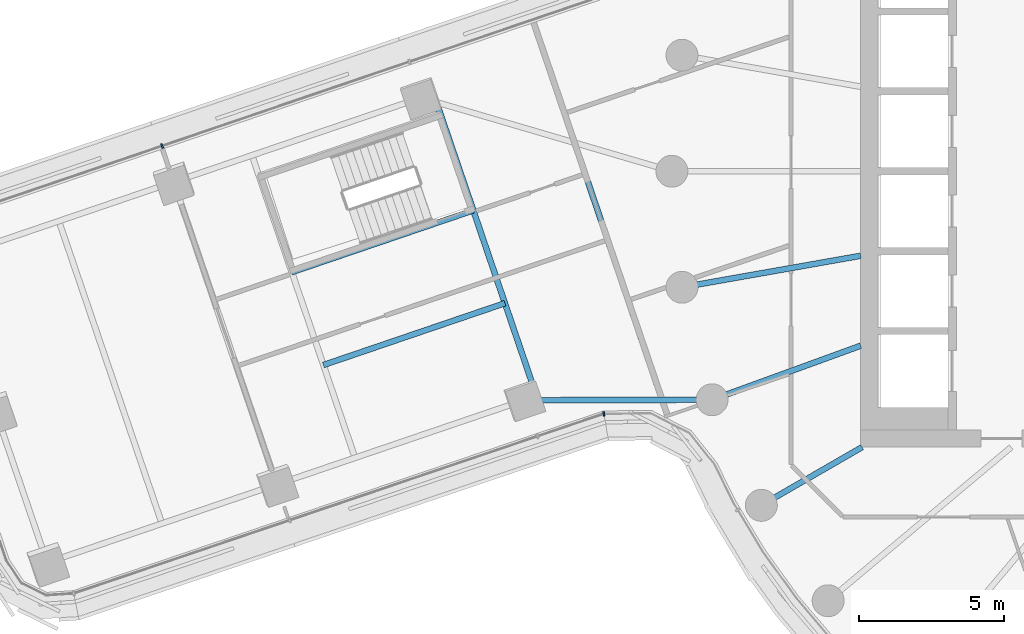
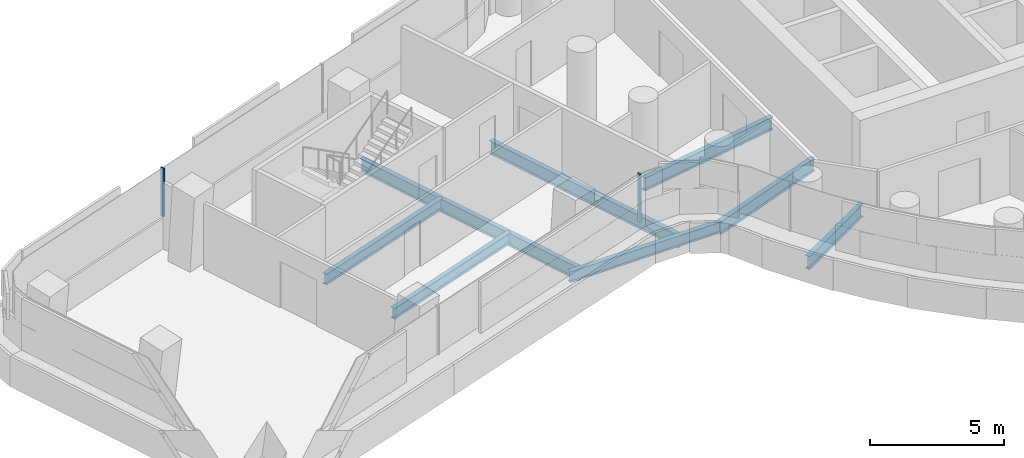
# One storey, part 5 of 29: 8 beams, 2 members, 2 elements without a shape of their own.
"""IFC4 building model written with IfcOpenShell, lengths in metres."""

from ifc_helpers import new_model, si_unit, direction, frame, origin, origin_2d, place, context, subcontext, project, spatial, rectangle, i_section, extrude, material, layer, layer_set, material_profile, profile_set, type_object, element, aggregate, save


model = new_model("IFC4")

# Units and contexts
model_context = context("Model", 3, precision=1e-05, world=origin(), true_north=direction((0.0, 1.0)))
body_context = subcontext(model_context, "Body", "Model", "MODEL_VIEW")
ifc_project = project(units=[si_unit("LENGTHUNIT", "METRE"), si_unit("AREAUNIT", "SQUARE_METRE"), si_unit("VOLUMEUNIT", "CUBIC_METRE"), si_unit("PLANEANGLEUNIT", "RADIAN"), si_unit("MASSUNIT", "GRAM", prefix="KILO")], contexts=[model_context])

# Site, building, storey
site_placement = place(None, origin())
site = spatial("IfcSite", under=ifc_project, at=site_placement, CompositionType="ELEMENT")
building_placement = place(site_placement, origin())
building = spatial("IfcBuilding", under=site, at=building_placement, Name="Tamarind Cross Interchange Tower", CompositionType="ELEMENT")
storey_placement = place(building_placement, frame((0.0, 0.0, 102.25)))
storey = spatial("IfcBuildingStorey", under=building, at=storey_placement, Name="L24", CompositionType="ELEMENT", Elevation=102.25)

# Beams
ifc_material_1 = material(Name="Steel Q355B", Category="steel")
ifc_material_profile_1 = material_profile(ifc_material_1, i_section(OverallWidth=0.198974609375, OverallDepth=0.49609375, WebThickness=0.009033203125, FlangeThickness=0.013916015625, FilletRadius=0.012939453125, at=origin_2d()), Name="HN 496x199x9x14")
ifc_profile_set_1 = profile_set([ifc_material_profile_1], Name="Steel Q355B")
beam_type_1 = type_object("IfcBeamType", Name="Composite beam HN 496x199x9x14 Q355B", PredefinedType="BEAM", material=ifc_profile_set_1)
beam_1_placement = place(storey_placement, frame((-28.083740234375, -7.882080078125, -0.387939453125), z_axis=(0.999997084553, 0.002414722812, 0.0), x_axis=(-0.002414722812, 0.999997084553, 0.0)))
element("IfcBeam", 1, at=beam_1_placement, inside=storey, type_object=beam_type_1, Name="Beam W-linkep", PredefinedType="BEAM", context=body_context, shape_type="SweptSolid", body=[
    extrude(i_section(OverallWidth=0.198974609375, OverallDepth=0.49609375, WebThickness=0.009033203125, FlangeThickness=0.013916015625, FilletRadius=0.012939453125, at=origin_2d()), origin(), (0.0, 0.0, 1.0), 6.470703125),
])
for number, where, z_axis, x_axis, name in (
    (2, (-29.833984375, -1.347412109375, -0.387939453125), (-0.946610281318, -0.322380172008, 0.0), (0.322380172008, -0.946610281318, 0.0), "Beam W-tr1"),
    (3, (-28.745849609375, -4.542236328125, -0.387939453125), (-0.946610281318, -0.322380172008, 0.0), (0.322380172008, -0.946610281318, 0.0), "Beam W-stripp"),
):
    element("IfcBeam", number, at=place(storey_placement, frame(where, z_axis=z_axis, x_axis=x_axis)), inside=storey, type_object=beam_type_1, Name=name, PredefinedType="BEAM", context=body_context, shape_type="SweptSolid", body=[
        extrude(i_section(OverallWidth=0.198974609375, OverallDepth=0.49609375, WebThickness=0.009033203125, FlangeThickness=0.013916015625, FilletRadius=0.012939453125, at=origin_2d()), origin(), (0.0, 0.0, 1.0), 6.599853515625),
    ])
ifc_material_profile_2 = material_profile(ifc_material_1, i_section(OverallWidth=0.198974609375, OverallDepth=0.595947265625, WebThickness=0.010009765625, FlangeThickness=0.014892578125, FilletRadius=0.012939453125, at=origin_2d()), Name="HN 596x199x10x15")
ifc_profile_set_2 = profile_set([ifc_material_profile_2], Name="Steel Q355B")
beam_type_2 = type_object("IfcBeamType", Name="Composite beam HN 596x199x10x15 Q355B", PredefinedType="BEAM", material=ifc_profile_set_2)
beam_2_placement = place(storey_placement, frame((-22.650634765625, -3.993896484375, -0.43798828125), z_axis=(0.984809127561, 0.173640382036, 0.0), x_axis=(-0.173640382036, 0.984809127561, 0.0)))
element("IfcBeam", 4, at=beam_2_placement, inside=storey, type_object=beam_type_2, Name="Beam HH19", PredefinedType="BEAM", context=body_context, shape_type="SweptSolid", body=[
    extrude(i_section(OverallWidth=0.198974609375, OverallDepth=0.595947265625, WebThickness=0.010009765625, FlangeThickness=0.014892578125, FilletRadius=0.012939453125, at=origin_2d()), origin(), (0.0, 0.0, 1.0), 6.24560546875),
])
beam_3_placement = place(storey_placement, frame((-21.613037109375, -7.866455078125, -0.43798828125), z_axis=(0.939701685589, 0.341995236956, 0.0), x_axis=(-0.341995236956, 0.939701685589, 0.0)))
element("IfcBeam", 5, at=beam_3_placement, inside=storey, type_object=beam_type_2, Name="Beam HH20", PredefinedType="BEAM", context=body_context, shape_type="SweptSolid", body=[
    extrude(i_section(OverallWidth=0.198974609375, OverallDepth=0.595947265625, WebThickness=0.010009765625, FlangeThickness=0.014892578125, FilletRadius=0.012939453125, at=origin_2d()), origin(), (0.0, 0.0, 1.0), 5.441162109375),
])
beam_4_placement = place(storey_placement, frame((-19.918701171875, -11.5, -0.43798828125), z_axis=(0.866026010844, 0.49999894854, 0.0), x_axis=(-0.49999894854, 0.866026010844, 0.0)))
element("IfcBeam", 6, at=beam_4_placement, inside=storey, type_object=beam_type_2, Name="Beam HH21", PredefinedType="BEAM", context=body_context, shape_type="SweptSolid", body=[
    extrude(i_section(OverallWidth=0.198974609375, OverallDepth=0.595947265625, WebThickness=0.010009765625, FlangeThickness=0.014892578125, FilletRadius=0.012939453125, at=origin_2d()), origin(), (0.0, 0.0, 1.0), 4.0),
])
ifc_material_profile_3 = material_profile(ifc_material_1, i_section(OverallWidth=0.199951171875, OverallDepth=0.60009765625, WebThickness=0.010986328125, FlangeThickness=0.01708984375, FilletRadius=0.012939453125, at=origin_2d()), Name="HN 600x200x11x17")
ifc_profile_set_3 = profile_set([ifc_material_profile_3], Name="Steel Q355B")
beam_type_3 = type_object("IfcBeamType", Name="Composite beam HN 600x200x11x17 Q355B", PredefinedType="BEAM", material=ifc_profile_set_3)
beam_5_placement = place(storey_placement, frame((-31.101806640625, 2.375732421875, -0.43994140625), z_axis=(0.322372491002, -0.946612897147, 0.0), x_axis=(0.946612897147, 0.322372491002, 0.0)))
element("IfcBeam", 7, at=beam_5_placement, inside=storey, type_object=beam_type_3, Name="Beam W-x298", PredefinedType="BEAM", context=body_context, shape_type="SweptSolid", body=[
    extrude(i_section(OverallWidth=0.199951171875, OverallDepth=0.60009765625, WebThickness=0.010986328125, FlangeThickness=0.01708984375, FilletRadius=0.012939453125, at=origin_2d()), origin(), (0.0, 0.0, 1.0), 10.8349609375),
])
beam_6_placement = place(storey_placement, frame((-26.3486328125, 0.98193359375, -0.43994140625), z_axis=(0.322361358692, -0.946616688223, 0.0), x_axis=(0.946616688223, 0.322361358692, 0.0)))
element("IfcBeam", 8, at=beam_6_placement, inside=storey, type_object=beam_type_3, Name="Beam W-x258", PredefinedType="BEAM", context=body_context, shape_type="SweptSolid", body=[
    extrude(i_section(OverallWidth=0.199951171875, OverallDepth=0.60009765625, WebThickness=0.010986328125, FlangeThickness=0.01708984375, FilletRadius=0.012939453125, at=origin_2d()), origin(), (0.0, 0.0, 1.0), 9.351806640625),
])

# Curtain wall, member
ifc_material_2 = material(Name="Aluminium 6063-T6", Category="aluminium")
ifc_layer = layer(ifc_material_2, 0.159912109375)
ifc_layer_set = layer_set([ifc_layer], Name="Aluminium 6063-T6")
curtain_wall_type = type_object("IfcCurtainWallType", Name="Office curtain wall, 9.0 m bays", PredefinedType="NOTDEFINED", material=ifc_layer_set)
curtain_wall_1_placement = place(storey_placement, origin())
curtain_wall_1 = element("IfcCurtainWall", 9, at=curtain_wall_1_placement, inside=storey, type_object=curtain_wall_type, Name="CWS-L24-02", PredefinedType="NOTDEFINED")
ifc_material_profile_4 = material_profile(ifc_material_2, rectangle(XDim=0.06005859375, YDim=0.159912109375, at=origin_2d()), Name="Mullion CW1")
ifc_profile_set_4 = profile_set([ifc_material_profile_4], Name="Aluminium 6063-T6")
member_type = type_object("IfcMemberType", Name="Mullion CW1", PredefinedType="MULLION", material=ifc_profile_set_4)
member_1_placement = place(storey_placement, frame((-25.3388671875, -8.350830078125, 1.39990234375), z_axis=(0.0, 0.0, 1.0), x_axis=(0.985508143396, 0.169628120607, 0.0)))
member_1 = element("IfcMember", 10, at=member_1_placement, type_object=member_type, Name="CWM-L24-02-00", PredefinedType="MULLION", context=body_context, shape_type="SweptSolid", body=[
    extrude(rectangle(XDim=0.06005859375, YDim=0.159912109375, at=origin_2d()), origin(), (0.0, 0.0, 1.0), 2.210205078125),
])
aggregate(curtain_wall_1, [member_1])

curtain_wall_2_placement = place(storey_placement, origin())
curtain_wall_2 = element("IfcCurtainWall", 11, at=curtain_wall_2_placement, inside=storey, type_object=curtain_wall_type, Name="CWS-L24-15", PredefinedType="NOTDEFINED")
member_2_placement = place(storey_placement, frame((-40.545654296875, 0.86767578125, 1.39990234375), z_axis=(0.0, 0.0, 1.0), x_axis=(-0.946613256786, -0.322371434957, 0.0)))
member_2 = element("IfcMember", 12, at=member_2_placement, type_object=member_type, Name="CWM-L24-15-02", PredefinedType="MULLION", context=body_context, shape_type="SweptSolid", body=[
    extrude(rectangle(XDim=0.06005859375, YDim=0.159912109375, at=origin_2d()), origin(), (0.0, 0.0, 1.0), 2.210205078125),
])
aggregate(curtain_wall_2, [member_2])

save(model, "model.ifc")
